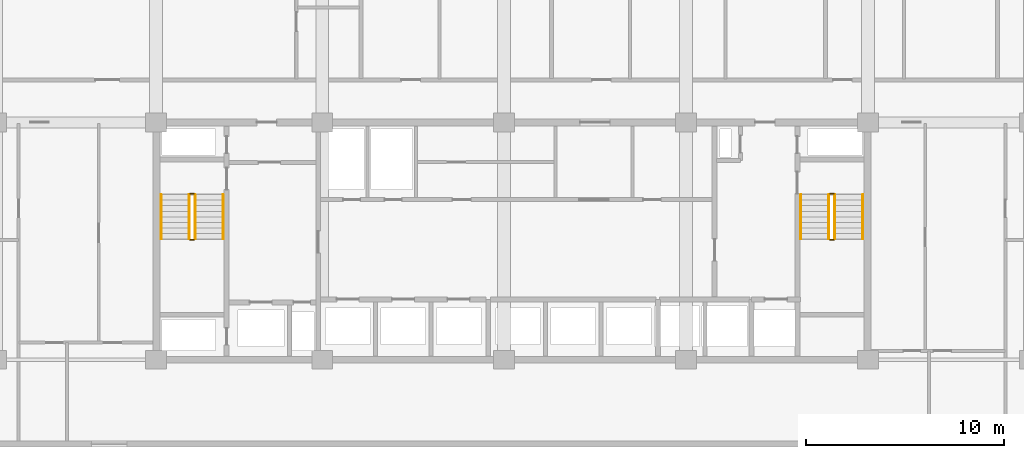
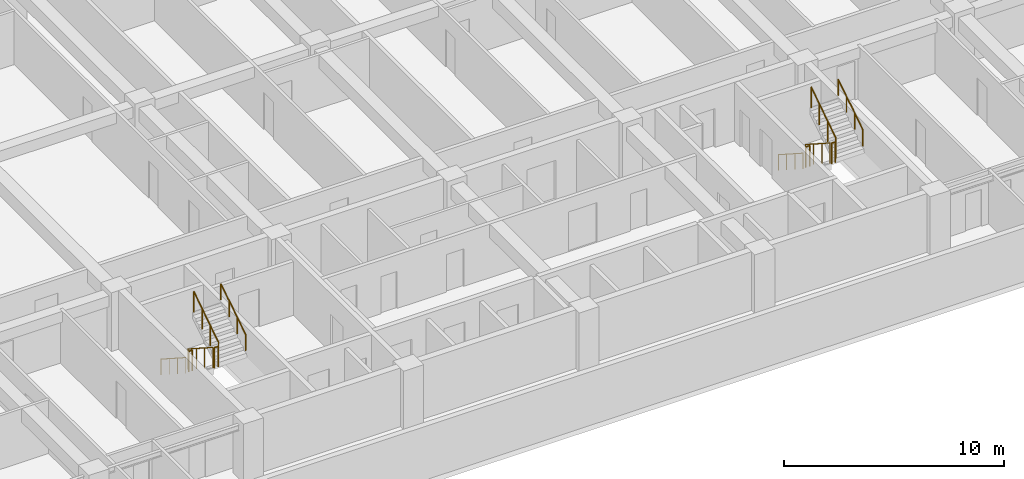
# One storey, part 23 of 24: 12 railings.
"""IFC4 building model written with IfcOpenShell, lengths in metres."""

from ifc_helpers import new_model, si_unit, direction, frame, origin, origin_2d, place, context, subcontext, project, spatial, circle, extrude, material, type_object, element, save


model = new_model("IFC4")

# Units and contexts
model_context = context("Model", 3, precision=1e-05, world=origin(), true_north=direction((0.0, 1.0)))
body_context = subcontext(model_context, "Body", "Model", "MODEL_VIEW")
ifc_project = project(units=[si_unit("LENGTHUNIT", "METRE"), si_unit("AREAUNIT", "SQUARE_METRE"), si_unit("VOLUMEUNIT", "CUBIC_METRE"), si_unit("PLANEANGLEUNIT", "RADIAN"), si_unit("MASSUNIT", "GRAM", prefix="KILO")], contexts=[model_context])

# Site, building, storey
site_placement = place(None, origin())
site = spatial("IfcSite", under=ifc_project, at=site_placement, CompositionType="ELEMENT")
building_placement = place(site_placement, origin())
building = spatial("IfcBuilding", under=site, at=building_placement, Name="Korimba Cascade Residences", CompositionType="ELEMENT")
storey_placement = place(building_placement, frame((0.0, 0.0, 63.0)))
storey = spatial("IfcBuildingStorey", under=building, at=storey_placement, Name="L17", CompositionType="ELEMENT", Elevation=63.0)

# Railings
ifc_material_1 = material(Name="Painted Steel Stairwell Guardrail", Category="steel")
railing_type_1 = type_object("IfcRailingType", Name="RLG-ST-GD1150", PredefinedType="GUARDRAIL", material=ifc_material_1)
railing_1_placement = place(storey_placement, frame((77.77001953125, 63.550048828125, 0.1806640625)))
element("IfcRailing", 1, at=railing_1_placement, inside=storey, type_object=railing_type_1, Name="L17 ST-W1 stair guard 1", PredefinedType="GUARDRAIL", context=body_context, shape_type="SweptSolid", body=[
    extrude(circle(Radius=0.02392578125, at=origin_2d()), frame((0.0, 0.0, 1.1259765625), z_axis=(0.0, -0.840436612492, 0.541909863706), x_axis=(1.0, 0.0, 0.0)), (0.0, 0.0, 1.0), 2.665283203125),
    extrude(circle(Radius=0.02099609375, at=origin_2d()), origin(), (0.0, 0.0, 1.0), 1.101806640625),
    extrude(circle(Radius=0.02099609375, at=origin_2d()), frame((0.0, -0.74658203125, 0.4814453125)), (0.0, 0.0, 1.0), 1.101806640625),
    extrude(circle(Radius=0.02099609375, at=origin_2d()), frame((0.0, -1.493408203125, 0.962890625)), (0.0, 0.0, 1.0), 1.101806640625),
    extrude(circle(Radius=0.02099609375, at=origin_2d()), frame((0.0, -2.239990234375, 1.4443359375)), (0.0, 0.0, 1.0), 1.101806640625),
])
railing_2_placement = place(storey_placement, frame((77.820068359375, 61.260009765625, 1.625)))
element("IfcRailing", 2, at=railing_2_placement, inside=storey, type_object=railing_type_1, Name="L17 ST-W1 stair guard 2", PredefinedType="GUARDRAIL", context=body_context, shape_type="SweptSolid", body=[
    extrude(circle(Radius=0.02392578125, at=origin_2d()), frame((0.0, 0.0, 1.1259765625), z_axis=(1.0, 0.0, 0.0), x_axis=(0.0, 1.0, 0.0)), (0.0, 0.0, 1.0), 0.199951171875),
    extrude(circle(Radius=0.02099609375, at=origin_2d()), origin(), (0.0, 0.0, 1.0), 1.101806640625),
    extrude(circle(Radius=0.02099609375, at=origin_2d()), frame((0.199951171875, 0.0, 0.0)), (0.0, 0.0, 1.0), 1.101806640625),
])
railing_3_placement = place(storey_placement, frame((78.070068359375, 61.31005859375, 1.8056640625)))
element("IfcRailing", 3, at=railing_3_placement, inside=storey, type_object=railing_type_1, Name="L17 ST-W1 stair guard 3", PredefinedType="GUARDRAIL", context=body_context, shape_type="SweptSolid", body=[
    extrude(circle(Radius=0.02392578125, at=origin_2d()), frame((0.0, 0.0, 1.1259765625), z_axis=(0.0, 0.840436612492, 0.541909863706), x_axis=(-1.0, 0.0, 0.0)), (0.0, 0.0, 1.0), 2.665283203125),
    extrude(circle(Radius=0.02099609375, at=origin_2d()), origin(), (0.0, 0.0, 1.0), 1.101806640625),
    extrude(circle(Radius=0.02099609375, at=origin_2d()), frame((0.0, 0.74658203125, 0.4814453125)), (0.0, 0.0, 1.0), 1.101806640625),
    extrude(circle(Radius=0.02099609375, at=origin_2d()), frame((0.0, 1.493408203125, 0.962890625)), (0.0, 0.0, 1.0), 1.101806640625),
    extrude(circle(Radius=0.02099609375, at=origin_2d()), frame((0.0, 2.239990234375, 1.4443359375)), (0.0, 0.0, 1.0), 1.101806640625),
])
railing_4_placement = place(storey_placement, frame((77.820068359375, 63.60009765625, 0.0)))
element("IfcRailing", 4, at=railing_4_placement, inside=storey, type_object=railing_type_1, Name="L17 ST-W1 stair guard 4", PredefinedType="GUARDRAIL", context=body_context, shape_type="SweptSolid", body=[
    extrude(circle(Radius=0.02392578125, at=origin_2d()), frame((0.0, 0.0, 1.1259765625), z_axis=(1.0, 0.0, 0.0), x_axis=(0.0, 1.0, 0.0)), (0.0, 0.0, 1.0), 0.199951171875),
    extrude(circle(Radius=0.02099609375, at=origin_2d()), origin(), (0.0, 0.0, 1.0), 1.101806640625),
    extrude(circle(Radius=0.02099609375, at=origin_2d()), frame((0.199951171875, 0.0, 0.0)), (0.0, 0.0, 1.0), 1.101806640625),
])
railing_5_placement = place(storey_placement, frame((110.1298828125, 63.550048828125, 0.1806640625)))
element("IfcRailing", 5, at=railing_5_placement, inside=storey, type_object=railing_type_1, Name="L17 ST-W2 stair guard 1", PredefinedType="GUARDRAIL", context=body_context, shape_type="SweptSolid", body=[
    extrude(circle(Radius=0.02392578125, at=origin_2d()), frame((0.0, 0.0, 1.1259765625), z_axis=(0.0, -0.840436612492, 0.541909863706), x_axis=(1.0, 0.0, 0.0)), (0.0, 0.0, 1.0), 2.665283203125),
    extrude(circle(Radius=0.02099609375, at=origin_2d()), origin(), (0.0, 0.0, 1.0), 1.101806640625),
    extrude(circle(Radius=0.02099609375, at=origin_2d()), frame((0.0, -0.74658203125, 0.4814453125)), (0.0, 0.0, 1.0), 1.101806640625),
    extrude(circle(Radius=0.02099609375, at=origin_2d()), frame((0.0, -1.493408203125, 0.962890625)), (0.0, 0.0, 1.0), 1.101806640625),
    extrude(circle(Radius=0.02099609375, at=origin_2d()), frame((0.0, -2.239990234375, 1.4443359375)), (0.0, 0.0, 1.0), 1.101806640625),
])
railing_6_placement = place(storey_placement, frame((110.179931640625, 61.260009765625, 1.625)))
element("IfcRailing", 6, at=railing_6_placement, inside=storey, type_object=railing_type_1, Name="L17 ST-W2 stair guard 2", PredefinedType="GUARDRAIL", context=body_context, shape_type="SweptSolid", body=[
    extrude(circle(Radius=0.02392578125, at=origin_2d()), frame((0.0, 0.0, 1.1259765625), z_axis=(1.0, 0.0, 0.0), x_axis=(0.0, 1.0, 0.0)), (0.0, 0.0, 1.0), 0.199951171875),
    extrude(circle(Radius=0.02099609375, at=origin_2d()), origin(), (0.0, 0.0, 1.0), 1.101806640625),
    extrude(circle(Radius=0.02099609375, at=origin_2d()), frame((0.199951171875, 0.0, 0.0)), (0.0, 0.0, 1.0), 1.101806640625),
])
railing_7_placement = place(storey_placement, frame((110.429931640625, 61.31005859375, 1.8056640625)))
element("IfcRailing", 7, at=railing_7_placement, inside=storey, type_object=railing_type_1, Name="L17 ST-W2 stair guard 3", PredefinedType="GUARDRAIL", context=body_context, shape_type="SweptSolid", body=[
    extrude(circle(Radius=0.02392578125, at=origin_2d()), frame((0.0, 0.0, 1.1259765625), z_axis=(0.0, 0.840436612492, 0.541909863706), x_axis=(-1.0, 0.0, 0.0)), (0.0, 0.0, 1.0), 2.665283203125),
    extrude(circle(Radius=0.02099609375, at=origin_2d()), origin(), (0.0, 0.0, 1.0), 1.101806640625),
    extrude(circle(Radius=0.02099609375, at=origin_2d()), frame((0.0, 0.74658203125, 0.4814453125)), (0.0, 0.0, 1.0), 1.101806640625),
    extrude(circle(Radius=0.02099609375, at=origin_2d()), frame((0.0, 1.493408203125, 0.962890625)), (0.0, 0.0, 1.0), 1.101806640625),
    extrude(circle(Radius=0.02099609375, at=origin_2d()), frame((0.0, 2.239990234375, 1.4443359375)), (0.0, 0.0, 1.0), 1.101806640625),
])
railing_8_placement = place(storey_placement, frame((110.179931640625, 63.60009765625, 0.0)))
element("IfcRailing", 8, at=railing_8_placement, inside=storey, type_object=railing_type_1, Name="L17 ST-W2 stair guard 4", PredefinedType="GUARDRAIL", context=body_context, shape_type="SweptSolid", body=[
    extrude(circle(Radius=0.02392578125, at=origin_2d()), frame((0.0, 0.0, 1.1259765625), z_axis=(1.0, 0.0, 0.0), x_axis=(0.0, 1.0, 0.0)), (0.0, 0.0, 1.0), 0.199951171875),
    extrude(circle(Radius=0.02099609375, at=origin_2d()), origin(), (0.0, 0.0, 1.0), 1.101806640625),
    extrude(circle(Radius=0.02099609375, at=origin_2d()), frame((0.199951171875, 0.0, 0.0)), (0.0, 0.0, 1.0), 1.101806640625),
])
ifc_material_2 = material(Name="Brushed Stainless Steel Handrail", Category="steel")
railing_type_2 = type_object("IfcRailingType", Name="RLG-ST-HR900", PredefinedType="HANDRAIL", material=ifc_material_2)
railing_9_placement = place(storey_placement, frame((76.35009765625, 63.550048828125, 0.364990234375)))
element("IfcRailing", 9, at=railing_9_placement, inside=storey, type_object=railing_type_2, Name="L17 ST-W1 stair handrail 1", PredefinedType="HANDRAIL", context=body_context, shape_type="SweptSolid", body=[
    extrude(circle(Radius=0.02392578125, at=origin_2d()), frame((0.0, 0.0, 0.8759765625), z_axis=(0.0, -0.840436612492, 0.541909863706), x_axis=(1.0, 0.0, 0.0)), (0.0, 0.0, 1.0), 2.665283203125),
    extrude(circle(Radius=0.02099609375, at=origin_2d()), origin(), (0.0, 0.0, 1.0), 0.851806640625),
    extrude(circle(Radius=0.02099609375, at=origin_2d()), frame((0.0, -0.74658203125, 0.4814453125)), (0.0, 0.0, 1.0), 0.851806640625),
    extrude(circle(Radius=0.02099609375, at=origin_2d()), frame((0.0, -1.493408203125, 0.962890625)), (0.0, 0.0, 1.0), 0.851806640625),
    extrude(circle(Radius=0.02099609375, at=origin_2d()), frame((0.0, -2.239990234375, 1.4443359375)), (0.0, 0.0, 1.0), 0.851806640625),
])
railing_10_placement = place(storey_placement, frame((79.489990234375, 61.31005859375, 1.989990234375)))
element("IfcRailing", 10, at=railing_10_placement, inside=storey, type_object=railing_type_2, Name="L17 ST-W1 stair handrail 2", PredefinedType="HANDRAIL", context=body_context, shape_type="SweptSolid", body=[
    extrude(circle(Radius=0.02392578125, at=origin_2d()), frame((0.0, 0.0, 0.8759765625), z_axis=(0.0, 0.840436612492, 0.541909863706), x_axis=(-1.0, 0.0, 0.0)), (0.0, 0.0, 1.0), 2.665283203125),
    extrude(circle(Radius=0.02099609375, at=origin_2d()), origin(), (0.0, 0.0, 1.0), 0.851806640625),
    extrude(circle(Radius=0.02099609375, at=origin_2d()), frame((0.0, 0.74658203125, 0.4814453125)), (0.0, 0.0, 1.0), 0.851806640625),
    extrude(circle(Radius=0.02099609375, at=origin_2d()), frame((0.0, 1.493408203125, 0.962890625)), (0.0, 0.0, 1.0), 0.851806640625),
    extrude(circle(Radius=0.02099609375, at=origin_2d()), frame((0.0, 2.239990234375, 1.4443359375)), (0.0, 0.0, 1.0), 0.851806640625),
])
railing_11_placement = place(storey_placement, frame((108.7099609375, 63.550048828125, 0.364990234375)))
element("IfcRailing", 11, at=railing_11_placement, inside=storey, type_object=railing_type_2, Name="L17 ST-W2 stair handrail 1", PredefinedType="HANDRAIL", context=body_context, shape_type="SweptSolid", body=[
    extrude(circle(Radius=0.02392578125, at=origin_2d()), frame((0.0, 0.0, 0.8759765625), z_axis=(0.0, -0.840436612492, 0.541909863706), x_axis=(1.0, 0.0, 0.0)), (0.0, 0.0, 1.0), 2.665283203125),
    extrude(circle(Radius=0.02099609375, at=origin_2d()), origin(), (0.0, 0.0, 1.0), 0.851806640625),
    extrude(circle(Radius=0.02099609375, at=origin_2d()), frame((0.0, -0.74658203125, 0.4814453125)), (0.0, 0.0, 1.0), 0.851806640625),
    extrude(circle(Radius=0.02099609375, at=origin_2d()), frame((0.0, -1.493408203125, 0.962890625)), (0.0, 0.0, 1.0), 0.851806640625),
    extrude(circle(Radius=0.02099609375, at=origin_2d()), frame((0.0, -2.239990234375, 1.4443359375)), (0.0, 0.0, 1.0), 0.851806640625),
])
railing_12_placement = place(storey_placement, frame((111.85009765625, 61.31005859375, 1.989990234375)))
element("IfcRailing", 12, at=railing_12_placement, inside=storey, type_object=railing_type_2, Name="L17 ST-W2 stair handrail 2", PredefinedType="HANDRAIL", context=body_context, shape_type="SweptSolid", body=[
    extrude(circle(Radius=0.02392578125, at=origin_2d()), frame((0.0, 0.0, 0.8759765625), z_axis=(0.0, 0.840436612492, 0.541909863706), x_axis=(-1.0, 0.0, 0.0)), (0.0, 0.0, 1.0), 2.665283203125),
    extrude(circle(Radius=0.02099609375, at=origin_2d()), origin(), (0.0, 0.0, 1.0), 0.851806640625),
    extrude(circle(Radius=0.02099609375, at=origin_2d()), frame((0.0, 0.74658203125, 0.4814453125)), (0.0, 0.0, 1.0), 0.851806640625),
    extrude(circle(Radius=0.02099609375, at=origin_2d()), frame((0.0, 1.493408203125, 0.962890625)), (0.0, 0.0, 1.0), 0.851806640625),
    extrude(circle(Radius=0.02099609375, at=origin_2d()), frame((0.0, 2.239990234375, 1.4443359375)), (0.0, 0.0, 1.0), 0.851806640625),
])

save(model, "model.ifc")
